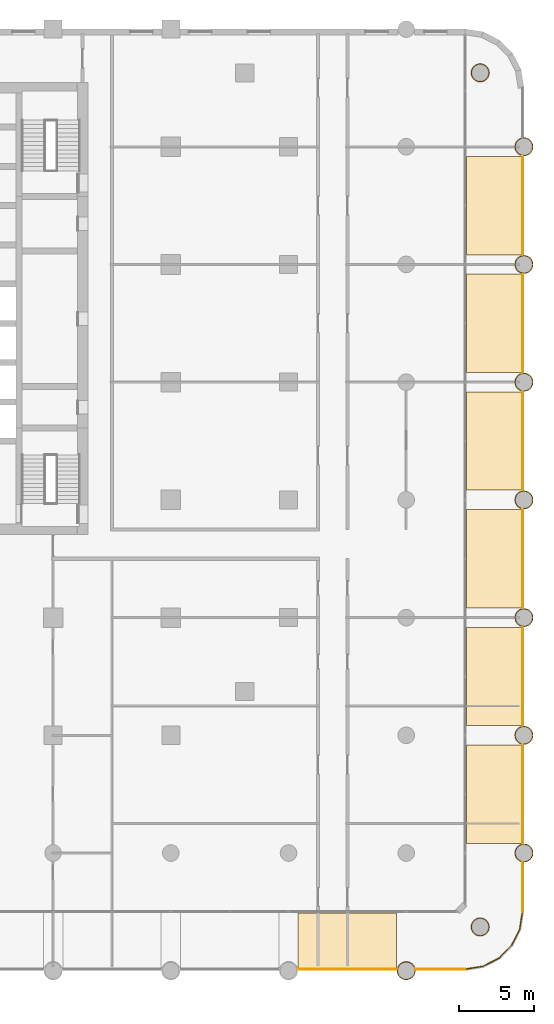
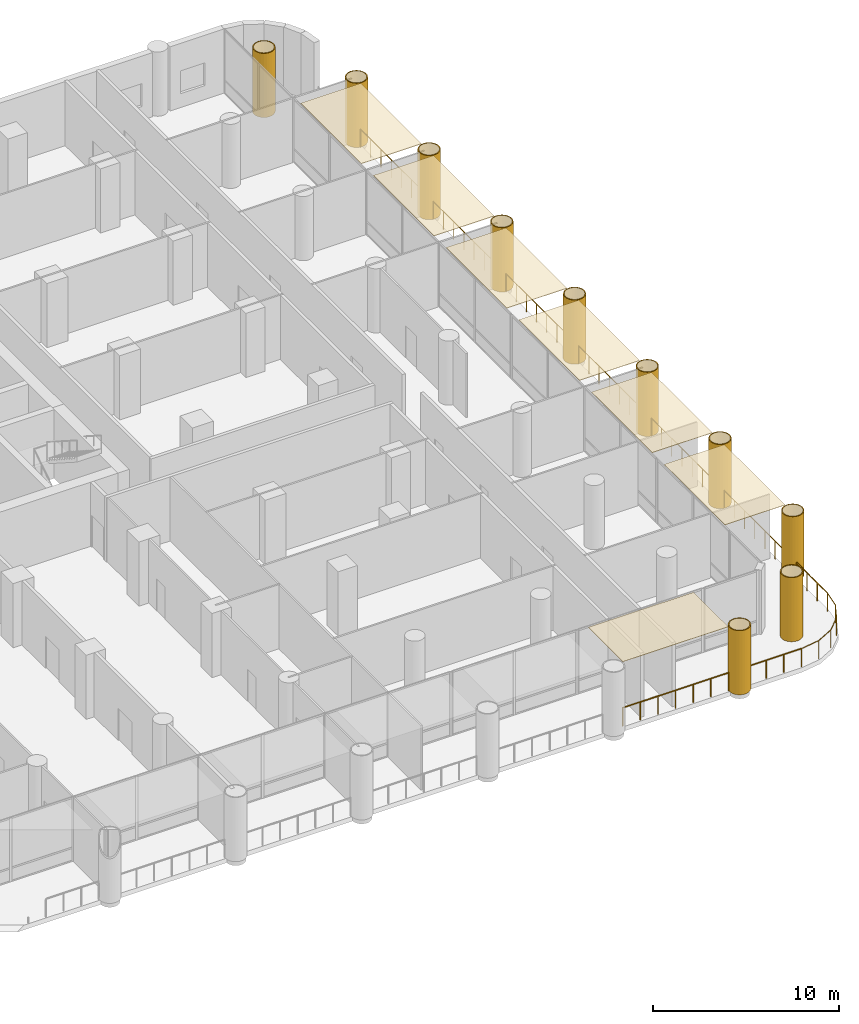
# One storey, part 23 of 24: 17 coverings, 10 railings.
"""IFC4 building model written with IfcOpenShell, lengths in metres."""

from ifc_helpers import new_model, si_unit, direction, frame, origin, origin_2d, place, context, subcontext, project, spatial, polyline, rectangle, circle, outline, extrude, material, layer, layer_set, type_object, element, save


model = new_model("IFC4")

# Units and contexts
model_context = context("Model", 3, precision=1e-05, world=origin(), true_north=direction((0.0, 1.0)))
body_context = subcontext(model_context, "Body", "Model", "MODEL_VIEW")
ifc_project = project(units=[si_unit("LENGTHUNIT", "METRE"), si_unit("AREAUNIT", "SQUARE_METRE"), si_unit("VOLUMEUNIT", "CUBIC_METRE"), si_unit("PLANEANGLEUNIT", "RADIAN"), si_unit("MASSUNIT", "GRAM", prefix="KILO")], contexts=[model_context])

# Site, building, storey
site_placement = place(None, origin())
site = spatial("IfcSite", under=ifc_project, at=site_placement, CompositionType="ELEMENT")
building_placement = place(site_placement, origin())
building = spatial("IfcBuilding", under=site, at=building_placement, Name="Ludao Terraces", CompositionType="ELEMENT")
storey_placement = place(building_placement, frame((0.0, 0.0, 6.0)))
storey = spatial("IfcBuildingStorey", under=building, at=storey_placement, Name="L01", CompositionType="ELEMENT", Elevation=6.0)

# Coverings
ifc_material_1 = material(Name="Stone-effect cement board ceiling lining", Category="masonry")
ifc_layer_1 = layer(ifc_material_1, 0.030029296875)
ifc_layer_set_1 = layer_set([ifc_layer_1], Name="ENV Arcade ceiling lining 30")
covering_type_1 = type_object("IfcCoveringType", Name="ENV Arcade ceiling lining 30", PredefinedType="CEILING", material=ifc_layer_set_1)
covering_1_placement = place(storey_placement, frame((112.300048828125, 27.9599609375, 4.169921875), z_axis=(0.0, 0.0, 1.0), x_axis=(1.0, 0.0, 0.0)))
element("IfcCovering", 1, at=covering_1_placement, inside=storey, type_object=covering_type_1, Name="CL-L01-S8", PredefinedType="CEILING", context=body_context, shape_type="SweptSolid", body=[
    extrude(rectangle(XDim=6.52001953125, YDim=3.719970703125, at=origin_2d()), origin(), (0.0, 0.0, 1.0), 0.030029296875),
])
for number, where, z_axis, x_axis, name in (
    (2, (122.0400390625, 37.699951171875, 4.169921875), (0.0, 0.0, 1.0), (1.0, 0.0, 0.0), "CL-L01-E1"),
    (3, (122.0400390625, 45.5, 4.169921875), (0.0, 0.0, 1.0), (1.0, 0.0, 0.0), "CL-L01-E2"),
    (4, (122.0400390625, 53.300048828125, 4.169921875), (0.0, 0.0, 1.0), (1.0, 0.0, 0.0), "CL-L01-E3"),
    (5, (122.0400390625, 61.10009765625, 4.169921875), (0.0, 0.0, 1.0), (1.0, 0.0, 0.0), "CL-L01-E4"),
    (6, (122.0400390625, 68.89990234375, 4.169921875), (0.0, 0.0, 1.0), (1.0, 0.0, 0.0), "CL-L01-E5"),
    (7, (122.0400390625, 76.699951171875, 4.169921875), (0.0, 0.0, 1.0), (1.0, 0.0, 0.0), "CL-L01-E6"),
):
    element("IfcCovering", number, at=place(storey_placement, frame(where, z_axis=z_axis, x_axis=x_axis)), inside=storey, type_object=covering_type_1, Name=name, PredefinedType="CEILING", context=body_context, shape_type="SweptSolid", body=[
        extrude(rectangle(XDim=3.719970703125, YDim=6.52001953125, at=origin_2d()), origin(), (0.0, 0.0, 1.0), 0.030029296875),
    ])

# Railings
ifc_material_2 = material(Name="Steel Q235", Category="steel")
railing_type = type_object("IfcRailingType", Name="ENV Open-edge guard 1200", PredefinedType="GUARDRAIL", material=ifc_material_2)
railing_1_placement = place(storey_placement, frame((109.02001953125, 26.10009765625, 0.0)))
element("IfcRailing", 8, at=railing_1_placement, inside=storey, type_object=railing_type, Name="Guard L01 S9", PredefinedType="GUARDRAIL", context=body_context, shape_type="SweptSolid", body=[
    extrude(circle(Radius=0.02392578125, at=origin_2d()), frame((0.0, 0.0, 1.17578125), z_axis=(1.0, 0.0, 0.0), x_axis=(0.0, 1.0, 0.0)), (0.0, 0.0, 1.0), 6.56005859375),
    extrude(circle(Radius=0.02099609375, at=origin_2d()), origin(), (0.0, 0.0, 1.0), 1.15185546875),
    extrude(circle(Radius=0.02099609375, at=origin_2d()), frame((1.09326171875, 0.0, 0.0)), (0.0, 0.0, 1.0), 1.15185546875),
    extrude(circle(Radius=0.02099609375, at=origin_2d()), frame((2.186767578125, 0.0, 0.0)), (0.0, 0.0, 1.0), 1.15185546875),
    extrude(circle(Radius=0.02099609375, at=origin_2d()), frame((3.280029296875, 0.0, 0.0)), (0.0, 0.0, 1.0), 1.15185546875),
    extrude(circle(Radius=0.02099609375, at=origin_2d()), frame((4.373291015625, 0.0, 0.0)), (0.0, 0.0, 1.0), 1.15185546875),
    extrude(circle(Radius=0.02099609375, at=origin_2d()), frame((5.466796875, 0.0, 0.0)), (0.0, 0.0, 1.0), 1.15185546875),
    extrude(circle(Radius=0.02099609375, at=origin_2d()), frame((6.56005859375, 0.0, 0.0)), (0.0, 0.0, 1.0), 1.15185546875),
])
railing_2_placement = place(storey_placement, frame((116.820068359375, 26.10009765625, 0.0)))
element("IfcRailing", 9, at=railing_2_placement, inside=storey, type_object=railing_type, Name="Guard L01 S10", PredefinedType="GUARDRAIL", context=body_context, shape_type="SweptSolid", body=[
    extrude(circle(Radius=0.02392578125, at=origin_2d()), frame((0.0, 0.0, 1.17578125), z_axis=(1.0, 0.0, 0.0), x_axis=(0.0, 1.0, 0.0)), (0.0, 0.0, 1.0), 3.280029296875),
    extrude(circle(Radius=0.02099609375, at=origin_2d()), origin(), (0.0, 0.0, 1.0), 1.15185546875),
    extrude(circle(Radius=0.02099609375, at=origin_2d()), frame((1.09326171875, 0.0, 0.0)), (0.0, 0.0, 1.0), 1.15185546875),
    extrude(circle(Radius=0.02099609375, at=origin_2d()), frame((2.186767578125, 0.0, 0.0)), (0.0, 0.0, 1.0), 1.15185546875),
    extrude(circle(Radius=0.02099609375, at=origin_2d()), frame((3.280029296875, 0.0, 0.0)), (0.0, 0.0, 1.0), 1.15185546875),
])
railing_3_placement = place(storey_placement, frame((123.89990234375, 29.89990234375, 0.0)))
element("IfcRailing", 10, at=railing_3_placement, inside=storey, type_object=railing_type, Name="Guard L01 E1", PredefinedType="GUARDRAIL", context=body_context, shape_type="SweptSolid", body=[
    extrude(circle(Radius=0.02392578125, at=origin_2d()), frame((0.0, 0.0, 1.17578125), z_axis=(0.0, 1.0, 0.0), x_axis=(-1.0, 0.0, 0.0)), (0.0, 0.0, 1.0), 3.280029296875),
    extrude(circle(Radius=0.02099609375, at=origin_2d()), origin(), (0.0, 0.0, 1.0), 1.15185546875),
    extrude(circle(Radius=0.02099609375, at=origin_2d()), frame((0.0, 1.09326171875, 0.0)), (0.0, 0.0, 1.0), 1.15185546875),
    extrude(circle(Radius=0.02099609375, at=origin_2d()), frame((0.0, 2.186767578125, 0.0)), (0.0, 0.0, 1.0), 1.15185546875),
    extrude(circle(Radius=0.02099609375, at=origin_2d()), frame((0.0, 3.280029296875, 0.0)), (0.0, 0.0, 1.0), 1.15185546875),
])
for number, where, name in (
    (11, (123.89990234375, 34.419921875, 0.0), "Guard L01 E2"),
    (12, (123.89990234375, 42.219970703125, 0.0), "Guard L01 E3"),
    (13, (123.89990234375, 50.02001953125, 0.0), "Guard L01 E4"),
):
    element("IfcRailing", number, at=place(storey_placement, frame(where)), inside=storey, type_object=railing_type, Name=name, PredefinedType="GUARDRAIL", context=body_context, shape_type="SweptSolid", body=[
        extrude(circle(Radius=0.02392578125, at=origin_2d()), frame((0.0, 0.0, 1.17578125), z_axis=(0.0, 1.0, 0.0), x_axis=(-1.0, 0.0, 0.0)), (0.0, 0.0, 1.0), 6.56005859375),
        extrude(circle(Radius=0.02099609375, at=origin_2d()), origin(), (0.0, 0.0, 1.0), 1.15185546875),
        extrude(circle(Radius=0.02099609375, at=origin_2d()), frame((0.0, 1.09326171875, 0.0)), (0.0, 0.0, 1.0), 1.15185546875),
        extrude(circle(Radius=0.02099609375, at=origin_2d()), frame((0.0, 2.186767578125, 0.0)), (0.0, 0.0, 1.0), 1.15185546875),
        extrude(circle(Radius=0.02099609375, at=origin_2d()), frame((0.0, 3.280029296875, 0.0)), (0.0, 0.0, 1.0), 1.15185546875),
        extrude(circle(Radius=0.02099609375, at=origin_2d()), frame((0.0, 4.373291015625, 0.0)), (0.0, 0.0, 1.0), 1.15185546875),
        extrude(circle(Radius=0.02099609375, at=origin_2d()), frame((0.0, 5.466796875, 0.0)), (0.0, 0.0, 1.0), 1.15185546875),
        extrude(circle(Radius=0.02099609375, at=origin_2d()), frame((0.0, 6.56005859375, 0.0)), (0.0, 0.0, 1.0), 1.15185546875),
    ])
for number, where, name in (
    (14, (123.89990234375, 57.820068359375, 0.0), "Guard L01 E5"),
    (15, (123.89990234375, 65.6201171875, 0.0), "Guard L01 E6"),
):
    element("IfcRailing", number, at=place(storey_placement, frame(where)), inside=storey, type_object=railing_type, Name=name, PredefinedType="GUARDRAIL", context=body_context, shape_type="SweptSolid", body=[
        extrude(circle(Radius=0.02392578125, at=origin_2d()), frame((0.0, 0.0, 1.17578125), z_axis=(0.0, 1.0, 0.0), x_axis=(-1.0, 0.0, 0.0)), (0.0, 0.0, 1.0), 6.559814453125),
        extrude(circle(Radius=0.02099609375, at=origin_2d()), origin(), (0.0, 0.0, 1.0), 1.15185546875),
        extrude(circle(Radius=0.02099609375, at=origin_2d()), frame((0.0, 1.09326171875, 0.0)), (0.0, 0.0, 1.0), 1.15185546875),
        extrude(circle(Radius=0.02099609375, at=origin_2d()), frame((0.0, 2.1865234375, 0.0)), (0.0, 0.0, 1.0), 1.15185546875),
        extrude(circle(Radius=0.02099609375, at=origin_2d()), frame((0.0, 3.27978515625, 0.0)), (0.0, 0.0, 1.0), 1.15185546875),
        extrude(circle(Radius=0.02099609375, at=origin_2d()), frame((0.0, 4.373291015625, 0.0)), (0.0, 0.0, 1.0), 1.15185546875),
        extrude(circle(Radius=0.02099609375, at=origin_2d()), frame((0.0, 5.466552734375, 0.0)), (0.0, 0.0, 1.0), 1.15185546875),
        extrude(circle(Radius=0.02099609375, at=origin_2d()), frame((0.0, 6.559814453125, 0.0)), (0.0, 0.0, 1.0), 1.15185546875),
    ])
railing_4_placement = place(storey_placement, frame((123.89990234375, 73.419921875, 0.0)))
element("IfcRailing", 16, at=railing_4_placement, inside=storey, type_object=railing_type, Name="Guard L01 E7", PredefinedType="GUARDRAIL", context=body_context, shape_type="SweptSolid", body=[
    extrude(circle(Radius=0.02392578125, at=origin_2d()), frame((0.0, 0.0, 1.17578125), z_axis=(0.0, 1.0, 0.0), x_axis=(-1.0, 0.0, 0.0)), (0.0, 0.0, 1.0), 6.56005859375),
    extrude(circle(Radius=0.02099609375, at=origin_2d()), origin(), (0.0, 0.0, 1.0), 1.15185546875),
    extrude(circle(Radius=0.02099609375, at=origin_2d()), frame((0.0, 1.09326171875, 0.0)), (0.0, 0.0, 1.0), 1.15185546875),
    extrude(circle(Radius=0.02099609375, at=origin_2d()), frame((0.0, 2.186767578125, 0.0)), (0.0, 0.0, 1.0), 1.15185546875),
    extrude(circle(Radius=0.02099609375, at=origin_2d()), frame((0.0, 3.280029296875, 0.0)), (0.0, 0.0, 1.0), 1.15185546875),
    extrude(circle(Radius=0.02099609375, at=origin_2d()), frame((0.0, 4.373291015625, 0.0)), (0.0, 0.0, 1.0), 1.15185546875),
    extrude(circle(Radius=0.02099609375, at=origin_2d()), frame((0.0, 5.466796875, 0.0)), (0.0, 0.0, 1.0), 1.15185546875),
    extrude(circle(Radius=0.02099609375, at=origin_2d()), frame((0.0, 6.56005859375, 0.0)), (0.0, 0.0, 1.0), 1.15185546875),
])
railing_5_placement = place(storey_placement, frame((120.10009765625, 26.10009765625, 0.0)))
element("IfcRailing", 17, at=railing_5_placement, inside=storey, type_object=railing_type, Name="Guard L01 SE", PredefinedType="GUARDRAIL", context=body_context, shape_type="SweptSolid", body=[
    extrude(circle(Radius=0.02392578125, at=origin_2d()), frame((0.0, 0.0, 1.17578125), z_axis=(0.987709617879, 0.156300066377, 0.0), x_axis=(-0.156300066377, 0.987709617879, 0.0)), (0.0, 0.0, 1.0), 1.188720703125),
    extrude(circle(Radius=0.02392578125, at=origin_2d()), frame((1.174072265625, 0.185791015625, 1.17578125), z_axis=(0.890992479772, 0.454018062405, 0.0), x_axis=(-0.454018062405, 0.890992479772, 0.0)), (0.0, 0.0, 1.0), 1.18896484375),
    extrude(circle(Radius=0.02392578125, at=origin_2d()), frame((2.2333984375, 0.7255859375, 1.17578125), z_axis=(0.707106781187, 0.707106781187, 0.0), x_axis=(-0.707106781187, 0.707106781187, 0.0)), (0.0, 0.0, 1.0), 1.189208984375),
    extrude(circle(Radius=0.02392578125, at=origin_2d()), frame((3.07421875, 1.56640625, 1.17578125), z_axis=(0.454018062405, 0.890992479772, 0.0), x_axis=(-0.890992479772, 0.454018062405, 0.0)), (0.0, 0.0, 1.0), 1.18896484375),
    extrude(circle(Radius=0.02392578125, at=origin_2d()), frame((3.614013671875, 2.625732421875, 1.17578125), z_axis=(0.156300066377, 0.987709617879, 0.0), x_axis=(-0.987709617879, 0.156300066377, 0.0)), (0.0, 0.0, 1.0), 1.188720703125),
    extrude(circle(Radius=0.02099609375, at=origin_2d()), origin(), (0.0, 0.0, 1.0), 1.15185546875),
    extrude(circle(Radius=0.02099609375, at=origin_2d()), frame((1.174072265625, 0.185791015625, 0.0)), (0.0, 0.0, 1.0), 1.15185546875),
    extrude(circle(Radius=0.02099609375, at=origin_2d()), frame((2.2333984375, 0.7255859375, 0.0)), (0.0, 0.0, 1.0), 1.15185546875),
    extrude(circle(Radius=0.02099609375, at=origin_2d()), frame((3.07421875, 1.56640625, 0.0)), (0.0, 0.0, 1.0), 1.15185546875),
    extrude(circle(Radius=0.02099609375, at=origin_2d()), frame((3.614013671875, 2.625732421875, 0.0)), (0.0, 0.0, 1.0), 1.15185546875),
    extrude(circle(Radius=0.02099609375, at=origin_2d()), frame((3.7998046875, 3.7998046875, 0.0)), (0.0, 0.0, 1.0), 1.15185546875),
])

# Coverings
ifc_material_3 = material(Name="Granite cladding", Category="masonry")
ifc_layer_2 = layer(ifc_material_3, 0.06005859375)
ifc_layer_set_2 = layer_set([ifc_layer_2], Name="ENV Stone column casing 60")
covering_type_2 = type_object("IfcCoveringType", Name="ENV Stone column casing 60", PredefinedType="CLADDING", material=ifc_layer_set_2)
covering_2_placement = place(storey_placement, origin())
element("IfcCovering", 18, at=covering_2_placement, inside=storey, type_object=covering_type_2, Name="CC-L01-G0546x-156", PredefinedType="CLADDING", context=body_context, shape_type="SweptSolid", body=[
    extrude(outline(polyline([(116.814697265625, 26.0), (116.793701171875, 26.1591796875), (116.732421875, 26.307373046875), (116.634765625, 26.4345703125), (116.50732421875, 26.532470703125), (116.359130859375, 26.59375), (116.199951171875, 26.61474609375), (116.040771484375, 26.59375), (115.892578125, 26.532470703125), (115.765380859375, 26.4345703125), (115.667724609375, 26.307373046875), (115.606201171875, 26.1591796875), (115.585205078125, 26.0), (115.606201171875, 25.8408203125), (115.667724609375, 25.692626953125), (115.765380859375, 25.5654296875), (115.892578125, 25.467529296875), (116.040771484375, 25.40625), (116.199951171875, 25.38525390625), (116.359130859375, 25.40625), (116.50732421875, 25.467529296875), (116.634765625, 25.5654296875), (116.732421875, 25.692626953125), (116.793701171875, 25.8408203125), (116.814697265625, 26.0)]), holes=[polyline([(116.73583984375, 25.8564453125), (116.680419921875, 25.72265625), (116.59228515625, 25.607666015625), (116.477294921875, 25.51953125), (116.343505859375, 25.464111328125), (116.199951171875, 25.4453125), (116.056396484375, 25.464111328125), (115.922607421875, 25.51953125), (115.8076171875, 25.607666015625), (115.719482421875, 25.72265625), (115.6640625, 25.8564453125), (115.645263671875, 26.0), (115.6640625, 26.1435546875), (115.719482421875, 26.27734375), (115.8076171875, 26.392333984375), (115.922607421875, 26.48046875), (116.056396484375, 26.535888671875), (116.199951171875, 26.5546875), (116.343505859375, 26.535888671875), (116.477294921875, 26.48046875), (116.59228515625, 26.392333984375), (116.680419921875, 26.27734375), (116.73583984375, 26.1435546875), (116.754638671875, 26.0), (116.73583984375, 25.8564453125)])]), origin(), (0.0, 0.0, 1.0), 4.199951171875),
])
covering_3_placement = place(storey_placement, origin())
element("IfcCovering", 19, at=covering_3_placement, inside=storey, type_object=covering_type_2, Name="CC-L01-G0595x-127", PredefinedType="CLADDING", context=body_context, shape_type="SweptSolid", body=[
    extrude(outline(polyline([(121.71484375, 28.89990234375), (121.69384765625, 29.05908203125), (121.63232421875, 29.207275390625), (121.53466796875, 29.334716796875), (121.407470703125, 29.432373046875), (121.259033203125, 29.493896484375), (121.10009765625, 29.5146484375), (120.94091796875, 29.493896484375), (120.792724609375, 29.432373046875), (120.665283203125, 29.334716796875), (120.567626953125, 29.207275390625), (120.506103515625, 29.05908203125), (120.4853515625, 28.89990234375), (120.506103515625, 28.740966796875), (120.567626953125, 28.592529296875), (120.665283203125, 28.46533203125), (120.792724609375, 28.36767578125), (120.94091796875, 28.30615234375), (121.10009765625, 28.28515625), (121.259033203125, 28.30615234375), (121.407470703125, 28.36767578125), (121.53466796875, 28.46533203125), (121.63232421875, 28.592529296875), (121.69384765625, 28.740966796875), (121.71484375, 28.89990234375)]), holes=[polyline([(121.6357421875, 28.75634765625), (121.580322265625, 28.62255859375), (121.4921875, 28.5078125), (121.37744140625, 28.419677734375), (121.24365234375, 28.3642578125), (121.10009765625, 28.34521484375), (120.95654296875, 28.3642578125), (120.822509765625, 28.419677734375), (120.707763671875, 28.5078125), (120.61962890625, 28.62255859375), (120.564208984375, 28.75634765625), (120.545166015625, 28.89990234375), (120.564208984375, 29.04345703125), (120.61962890625, 29.177490234375), (120.707763671875, 29.292236328125), (120.822509765625, 29.38037109375), (120.95654296875, 29.435791015625), (121.10009765625, 29.454833984375), (121.24365234375, 29.435791015625), (121.37744140625, 29.38037109375), (121.4921875, 29.292236328125), (121.580322265625, 29.177490234375), (121.6357421875, 29.04345703125), (121.65478515625, 28.89990234375), (121.6357421875, 28.75634765625)])]), origin(), (0.0, 0.0, 1.0), 4.199951171875),
])
covering_4_placement = place(storey_placement, origin())
element("IfcCovering", 20, at=covering_4_placement, inside=storey, type_object=covering_type_2, Name="CC-L01-G0624x-078", PredefinedType="CLADDING", context=body_context, shape_type="SweptSolid", body=[
    extrude(outline(polyline([(124.61474609375, 33.800048828125), (124.59375, 33.959228515625), (124.532470703125, 34.107421875), (124.4345703125, 34.234619140625), (124.307373046875, 34.332275390625), (124.1591796875, 34.393798828125), (124.0, 34.414794921875), (123.8408203125, 34.393798828125), (123.692626953125, 34.332275390625), (123.5654296875, 34.234619140625), (123.467529296875, 34.107421875), (123.40625, 33.959228515625), (123.38525390625, 33.800048828125), (123.40625, 33.640869140625), (123.467529296875, 33.49267578125), (123.5654296875, 33.365234375), (123.692626953125, 33.267578125), (123.8408203125, 33.206298828125), (124.0, 33.185302734375), (124.1591796875, 33.206298828125), (124.307373046875, 33.267578125), (124.4345703125, 33.365234375), (124.532470703125, 33.49267578125), (124.59375, 33.640869140625), (124.61474609375, 33.800048828125)]), holes=[polyline([(124.535888671875, 33.656494140625), (124.48046875, 33.522705078125), (124.392333984375, 33.40771484375), (124.27734375, 33.319580078125), (124.1435546875, 33.26416015625), (124.0, 33.245361328125), (123.8564453125, 33.26416015625), (123.72265625, 33.319580078125), (123.607666015625, 33.40771484375), (123.51953125, 33.522705078125), (123.464111328125, 33.656494140625), (123.4453125, 33.800048828125), (123.464111328125, 33.943603515625), (123.51953125, 34.077392578125), (123.607666015625, 34.1923828125), (123.72265625, 34.280517578125), (123.8564453125, 34.3359375), (124.0, 34.354736328125), (124.1435546875, 34.3359375), (124.27734375, 34.280517578125), (124.392333984375, 34.1923828125), (124.48046875, 34.077392578125), (124.535888671875, 33.943603515625), (124.5546875, 33.800048828125), (124.535888671875, 33.656494140625)])]), origin(), (0.0, 0.0, 1.0), 4.199951171875),
])
covering_5_placement = place(storey_placement, origin())
element("IfcCovering", 21, at=covering_5_placement, inside=storey, type_object=covering_type_2, Name="CC-L01-G0624x0000", PredefinedType="CLADDING", context=body_context, shape_type="SweptSolid", body=[
    extrude(outline(polyline([(124.61474609375, 41.60009765625), (124.59375, 41.759033203125), (124.532470703125, 41.907470703125), (124.4345703125, 42.03466796875), (124.307373046875, 42.13232421875), (124.1591796875, 42.19384765625), (124.0, 42.21484375), (123.8408203125, 42.19384765625), (123.692626953125, 42.13232421875), (123.5654296875, 42.03466796875), (123.467529296875, 41.907470703125), (123.40625, 41.759033203125), (123.38525390625, 41.60009765625), (123.40625, 41.44091796875), (123.467529296875, 41.292724609375), (123.5654296875, 41.165283203125), (123.692626953125, 41.067626953125), (123.8408203125, 41.006103515625), (124.0, 40.9853515625), (124.1591796875, 41.006103515625), (124.307373046875, 41.067626953125), (124.4345703125, 41.165283203125), (124.532470703125, 41.292724609375), (124.59375, 41.44091796875), (124.61474609375, 41.60009765625)]), holes=[polyline([(124.535888671875, 41.45654296875), (124.48046875, 41.322509765625), (124.392333984375, 41.207763671875), (124.27734375, 41.11962890625), (124.1435546875, 41.064208984375), (124.0, 41.045166015625), (123.8564453125, 41.064208984375), (123.72265625, 41.11962890625), (123.607666015625, 41.207763671875), (123.51953125, 41.322509765625), (123.464111328125, 41.45654296875), (123.4453125, 41.60009765625), (123.464111328125, 41.74365234375), (123.51953125, 41.87744140625), (123.607666015625, 41.9921875), (123.72265625, 42.080322265625), (123.8564453125, 42.1357421875), (124.0, 42.15478515625), (124.1435546875, 42.1357421875), (124.27734375, 42.080322265625), (124.392333984375, 41.9921875), (124.48046875, 41.87744140625), (124.535888671875, 41.74365234375), (124.5546875, 41.60009765625), (124.535888671875, 41.45654296875)])]), origin(), (0.0, 0.0, 1.0), 4.199951171875),
])
covering_6_placement = place(storey_placement, origin())
element("IfcCovering", 22, at=covering_6_placement, inside=storey, type_object=covering_type_2, Name="CC-L01-G0624x0078", PredefinedType="CLADDING", context=body_context, shape_type="SweptSolid", body=[
    extrude(outline(polyline([(124.61474609375, 49.39990234375), (124.59375, 49.55908203125), (124.532470703125, 49.707275390625), (124.4345703125, 49.834716796875), (124.307373046875, 49.932373046875), (124.1591796875, 49.993896484375), (124.0, 50.0146484375), (123.8408203125, 49.993896484375), (123.692626953125, 49.932373046875), (123.5654296875, 49.834716796875), (123.467529296875, 49.707275390625), (123.40625, 49.55908203125), (123.38525390625, 49.39990234375), (123.40625, 49.240966796875), (123.467529296875, 49.092529296875), (123.5654296875, 48.96533203125), (123.692626953125, 48.86767578125), (123.8408203125, 48.80615234375), (124.0, 48.78515625), (124.1591796875, 48.80615234375), (124.307373046875, 48.86767578125), (124.4345703125, 48.96533203125), (124.532470703125, 49.092529296875), (124.59375, 49.240966796875), (124.61474609375, 49.39990234375)]), holes=[polyline([(124.535888671875, 49.25634765625), (124.48046875, 49.12255859375), (124.392333984375, 49.0078125), (124.27734375, 48.919677734375), (124.1435546875, 48.8642578125), (124.0, 48.84521484375), (123.8564453125, 48.8642578125), (123.72265625, 48.919677734375), (123.607666015625, 49.0078125), (123.51953125, 49.12255859375), (123.464111328125, 49.25634765625), (123.4453125, 49.39990234375), (123.464111328125, 49.54345703125), (123.51953125, 49.677490234375), (123.607666015625, 49.792236328125), (123.72265625, 49.88037109375), (123.8564453125, 49.935791015625), (124.0, 49.954833984375), (124.1435546875, 49.935791015625), (124.27734375, 49.88037109375), (124.392333984375, 49.792236328125), (124.48046875, 49.677490234375), (124.535888671875, 49.54345703125), (124.5546875, 49.39990234375), (124.535888671875, 49.25634765625)])]), origin(), (0.0, 0.0, 1.0), 4.199951171875),
])
covering_7_placement = place(storey_placement, origin())
element("IfcCovering", 23, at=covering_7_placement, inside=storey, type_object=covering_type_2, Name="CC-L01-G0624x0156", PredefinedType="CLADDING", context=body_context, shape_type="SweptSolid", body=[
    extrude(outline(polyline([(124.61474609375, 57.199951171875), (124.59375, 57.359130859375), (124.532470703125, 57.50732421875), (124.4345703125, 57.634765625), (124.307373046875, 57.732421875), (124.1591796875, 57.793701171875), (124.0, 57.814697265625), (123.8408203125, 57.793701171875), (123.692626953125, 57.732421875), (123.5654296875, 57.634765625), (123.467529296875, 57.50732421875), (123.40625, 57.359130859375), (123.38525390625, 57.199951171875), (123.40625, 57.040771484375), (123.467529296875, 56.892578125), (123.5654296875, 56.765380859375), (123.692626953125, 56.667724609375), (123.8408203125, 56.606201171875), (124.0, 56.585205078125), (124.1591796875, 56.606201171875), (124.307373046875, 56.667724609375), (124.4345703125, 56.765380859375), (124.532470703125, 56.892578125), (124.59375, 57.040771484375), (124.61474609375, 57.199951171875)]), holes=[polyline([(124.535888671875, 57.056396484375), (124.48046875, 56.922607421875), (124.392333984375, 56.8076171875), (124.27734375, 56.719482421875), (124.1435546875, 56.6640625), (124.0, 56.645263671875), (123.8564453125, 56.6640625), (123.72265625, 56.719482421875), (123.607666015625, 56.8076171875), (123.51953125, 56.922607421875), (123.464111328125, 57.056396484375), (123.4453125, 57.199951171875), (123.464111328125, 57.343505859375), (123.51953125, 57.477294921875), (123.607666015625, 57.59228515625), (123.72265625, 57.680419921875), (123.8564453125, 57.73583984375), (124.0, 57.754638671875), (124.1435546875, 57.73583984375), (124.27734375, 57.680419921875), (124.392333984375, 57.59228515625), (124.48046875, 57.477294921875), (124.535888671875, 57.343505859375), (124.5546875, 57.199951171875), (124.535888671875, 57.056396484375)])]), origin(), (0.0, 0.0, 1.0), 4.199951171875),
])
covering_8_placement = place(storey_placement, origin())
element("IfcCovering", 24, at=covering_8_placement, inside=storey, type_object=covering_type_2, Name="CC-L01-G0624x0234", PredefinedType="CLADDING", context=body_context, shape_type="SweptSolid", body=[
    extrude(outline(polyline([(124.61474609375, 65.0), (124.59375, 65.1591796875), (124.532470703125, 65.307373046875), (124.4345703125, 65.4345703125), (124.307373046875, 65.532470703125), (124.1591796875, 65.59375), (124.0, 65.61474609375), (123.8408203125, 65.59375), (123.692626953125, 65.532470703125), (123.5654296875, 65.4345703125), (123.467529296875, 65.307373046875), (123.40625, 65.1591796875), (123.38525390625, 65.0), (123.40625, 64.8408203125), (123.467529296875, 64.692626953125), (123.5654296875, 64.5654296875), (123.692626953125, 64.467529296875), (123.8408203125, 64.40625), (124.0, 64.38525390625), (124.1591796875, 64.40625), (124.307373046875, 64.467529296875), (124.4345703125, 64.5654296875), (124.532470703125, 64.692626953125), (124.59375, 64.8408203125), (124.61474609375, 65.0)]), holes=[polyline([(124.535888671875, 64.8564453125), (124.48046875, 64.72265625), (124.392333984375, 64.607666015625), (124.27734375, 64.51953125), (124.1435546875, 64.464111328125), (124.0, 64.4453125), (123.8564453125, 64.464111328125), (123.72265625, 64.51953125), (123.607666015625, 64.607666015625), (123.51953125, 64.72265625), (123.464111328125, 64.8564453125), (123.4453125, 65.0), (123.464111328125, 65.1435546875), (123.51953125, 65.27734375), (123.607666015625, 65.392333984375), (123.72265625, 65.48046875), (123.8564453125, 65.535888671875), (124.0, 65.5546875), (124.1435546875, 65.535888671875), (124.27734375, 65.48046875), (124.392333984375, 65.392333984375), (124.48046875, 65.27734375), (124.535888671875, 65.1435546875), (124.5546875, 65.0), (124.535888671875, 64.8564453125)])]), origin(), (0.0, 0.0, 1.0), 4.199951171875),
])
covering_9_placement = place(storey_placement, origin())
element("IfcCovering", 25, at=covering_9_placement, inside=storey, type_object=covering_type_2, Name="CC-L01-G0624x0312", PredefinedType="CLADDING", context=body_context, shape_type="SweptSolid", body=[
    extrude(outline(polyline([(124.61474609375, 72.800048828125), (124.59375, 72.959228515625), (124.532470703125, 73.107421875), (124.4345703125, 73.234619140625), (124.307373046875, 73.332275390625), (124.1591796875, 73.393798828125), (124.0, 73.414794921875), (123.8408203125, 73.393798828125), (123.692626953125, 73.332275390625), (123.5654296875, 73.234619140625), (123.467529296875, 73.107421875), (123.40625, 72.959228515625), (123.38525390625, 72.800048828125), (123.40625, 72.640869140625), (123.467529296875, 72.49267578125), (123.5654296875, 72.365234375), (123.692626953125, 72.267578125), (123.8408203125, 72.206298828125), (124.0, 72.185302734375), (124.1591796875, 72.206298828125), (124.307373046875, 72.267578125), (124.4345703125, 72.365234375), (124.532470703125, 72.49267578125), (124.59375, 72.640869140625), (124.61474609375, 72.800048828125)]), holes=[polyline([(124.535888671875, 72.656494140625), (124.48046875, 72.522705078125), (124.392333984375, 72.40771484375), (124.27734375, 72.319580078125), (124.1435546875, 72.26416015625), (124.0, 72.245361328125), (123.8564453125, 72.26416015625), (123.72265625, 72.319580078125), (123.607666015625, 72.40771484375), (123.51953125, 72.522705078125), (123.464111328125, 72.656494140625), (123.4453125, 72.800048828125), (123.464111328125, 72.943603515625), (123.51953125, 73.077392578125), (123.607666015625, 73.1923828125), (123.72265625, 73.280517578125), (123.8564453125, 73.3359375), (124.0, 73.354736328125), (124.1435546875, 73.3359375), (124.27734375, 73.280517578125), (124.392333984375, 73.1923828125), (124.48046875, 73.077392578125), (124.535888671875, 72.943603515625), (124.5546875, 72.800048828125), (124.535888671875, 72.656494140625)])]), origin(), (0.0, 0.0, 1.0), 4.199951171875),
])
covering_10_placement = place(storey_placement, origin())
element("IfcCovering", 26, at=covering_10_placement, inside=storey, type_object=covering_type_2, Name="CC-L01-G0624x0390", PredefinedType="CLADDING", context=body_context, shape_type="SweptSolid", body=[
    extrude(outline(polyline([(124.61474609375, 80.60009765625), (124.59375, 80.759033203125), (124.532470703125, 80.907470703125), (124.4345703125, 81.03466796875), (124.307373046875, 81.13232421875), (124.1591796875, 81.19384765625), (124.0, 81.21484375), (123.8408203125, 81.19384765625), (123.692626953125, 81.13232421875), (123.5654296875, 81.03466796875), (123.467529296875, 80.907470703125), (123.40625, 80.759033203125), (123.38525390625, 80.60009765625), (123.40625, 80.44091796875), (123.467529296875, 80.292724609375), (123.5654296875, 80.165283203125), (123.692626953125, 80.067626953125), (123.8408203125, 80.006103515625), (124.0, 79.9853515625), (124.1591796875, 80.006103515625), (124.307373046875, 80.067626953125), (124.4345703125, 80.165283203125), (124.532470703125, 80.292724609375), (124.59375, 80.44091796875), (124.61474609375, 80.60009765625)]), holes=[polyline([(124.535888671875, 80.45654296875), (124.48046875, 80.322509765625), (124.392333984375, 80.207763671875), (124.27734375, 80.11962890625), (124.1435546875, 80.064208984375), (124.0, 80.045166015625), (123.8564453125, 80.064208984375), (123.72265625, 80.11962890625), (123.607666015625, 80.207763671875), (123.51953125, 80.322509765625), (123.464111328125, 80.45654296875), (123.4453125, 80.60009765625), (123.464111328125, 80.74365234375), (123.51953125, 80.87744140625), (123.607666015625, 80.9921875), (123.72265625, 81.080322265625), (123.8564453125, 81.1357421875), (124.0, 81.15478515625), (124.1435546875, 81.1357421875), (124.27734375, 81.080322265625), (124.392333984375, 80.9921875), (124.48046875, 80.87744140625), (124.535888671875, 80.74365234375), (124.5546875, 80.60009765625), (124.535888671875, 80.45654296875)])]), origin(), (0.0, 0.0, 1.0), 4.199951171875),
])
covering_11_placement = place(storey_placement, origin())
element("IfcCovering", 27, at=covering_11_placement, inside=storey, type_object=covering_type_2, Name="CC-L01-G0595x0439", PredefinedType="CLADDING", context=body_context, shape_type="SweptSolid", body=[
    extrude(outline(polyline([(121.71484375, 85.5), (121.69384765625, 85.6591796875), (121.63232421875, 85.807373046875), (121.53466796875, 85.9345703125), (121.407470703125, 86.032470703125), (121.259033203125, 86.09375), (121.10009765625, 86.11474609375), (120.94091796875, 86.09375), (120.792724609375, 86.032470703125), (120.665283203125, 85.9345703125), (120.567626953125, 85.807373046875), (120.506103515625, 85.6591796875), (120.4853515625, 85.5), (120.506103515625, 85.3408203125), (120.567626953125, 85.192626953125), (120.665283203125, 85.0654296875), (120.792724609375, 84.967529296875), (120.94091796875, 84.90625), (121.10009765625, 84.88525390625), (121.259033203125, 84.90625), (121.407470703125, 84.967529296875), (121.53466796875, 85.0654296875), (121.63232421875, 85.192626953125), (121.69384765625, 85.3408203125), (121.71484375, 85.5)]), holes=[polyline([(121.6357421875, 85.3564453125), (121.580322265625, 85.22265625), (121.4921875, 85.107666015625), (121.37744140625, 85.01953125), (121.24365234375, 84.964111328125), (121.10009765625, 84.9453125), (120.95654296875, 84.964111328125), (120.822509765625, 85.01953125), (120.707763671875, 85.107666015625), (120.61962890625, 85.22265625), (120.564208984375, 85.3564453125), (120.545166015625, 85.5), (120.564208984375, 85.6435546875), (120.61962890625, 85.77734375), (120.707763671875, 85.892333984375), (120.822509765625, 85.98046875), (120.95654296875, 86.035888671875), (121.10009765625, 86.0546875), (121.24365234375, 86.035888671875), (121.37744140625, 85.98046875), (121.4921875, 85.892333984375), (121.580322265625, 85.77734375), (121.6357421875, 85.6435546875), (121.65478515625, 85.5), (121.6357421875, 85.3564453125)])]), origin(), (0.0, 0.0, 1.0), 4.199951171875),
])

save(model, "model.ifc")
